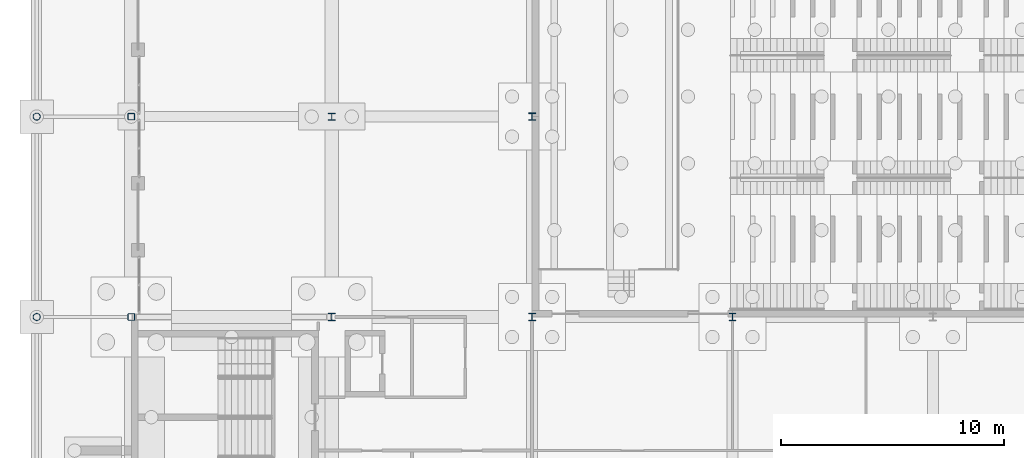
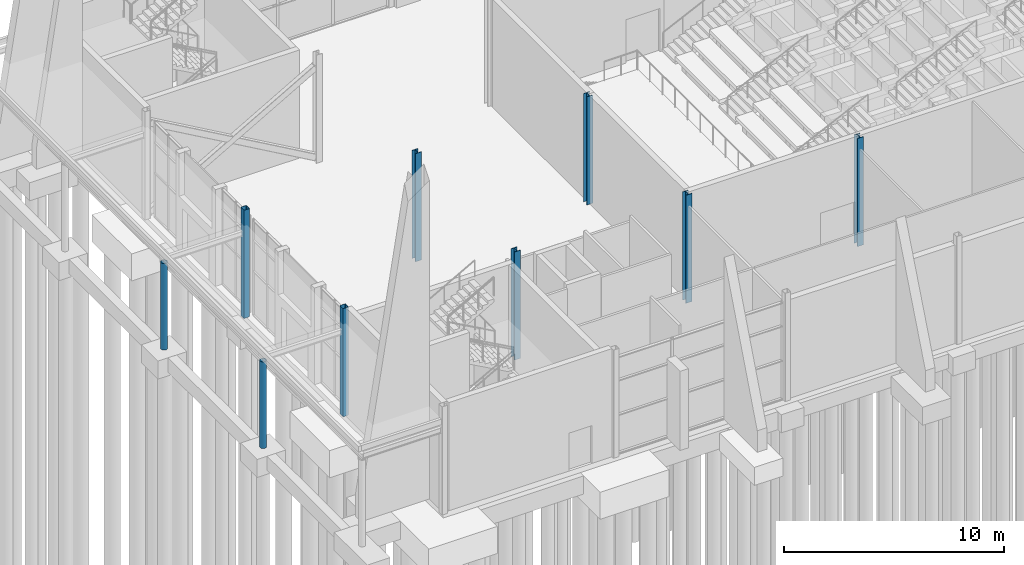
# One storey, part 23 of 139: 9 columns.
"""IFC4 building model written with IfcOpenShell, lengths in metres."""

from ifc_helpers import new_model, si_unit, direction, frame, origin, origin_2d, place, context, subcontext, project, spatial, hollow_rectangle, hollow_circle, i_section, extrude, material, material_profile, profile_set, type_object, element, save


model = new_model("IFC4")

# Units and contexts
model_context = context("Model", 3, precision=1e-05, world=origin(), true_north=direction((0.0, 1.0)))
body_context = subcontext(model_context, "Body", "Model", "MODEL_VIEW")
ifc_project = project(units=[si_unit("LENGTHUNIT", "METRE"), si_unit("AREAUNIT", "SQUARE_METRE"), si_unit("VOLUMEUNIT", "CUBIC_METRE"), si_unit("PLANEANGLEUNIT", "RADIAN"), si_unit("MASSUNIT", "GRAM", prefix="KILO")], contexts=[model_context])

# Site, building, storey
site_placement = place(None, origin())
site = spatial("IfcSite", under=ifc_project, at=site_placement, CompositionType="ELEMENT")
building_placement = place(site_placement, origin())
building = spatial("IfcBuilding", under=site, at=building_placement, Name="Shorebreak Coast Museum", CompositionType="ELEMENT")
storey_placement = place(building_placement, origin())
storey = spatial("IfcBuildingStorey", under=building, at=storey_placement, Name="L00", CompositionType="ELEMENT", Elevation=0.0)

# Columns
ifc_material_1 = material(Name="Steel Grade C350L0", Category="steel")
ifc_material_profile_1 = material_profile(ifc_material_1, hollow_circle(Radius=0.161865234375, WallThickness=0.009521484375, at=origin_2d()), Name="323.9x9.5 CHS")
ifc_profile_set_1 = profile_set([ifc_material_profile_1], Name="Steel Grade C350L0")
column_type_1 = type_object("IfcColumnType", Name="Arcade column 323.9x9.5 CHS", PredefinedType="COLUMN", material=ifc_profile_set_1)
for number, where, z_axis, x_axis, name in (
    (1, (-4.25, 63.0, -0.300048828125), (0.0, 0.0, 1.0), (1.0, 0.0, 0.0), "Arcade column west 2"),
    (2, (-4.25, 72.0, -0.300048828125), (0.0, 0.0, 1.0), (1.0, 0.0, 0.0), "Arcade column west 3"),
):
    element("IfcColumn", number, at=place(storey_placement, frame(where, z_axis=z_axis, x_axis=x_axis)), inside=storey, type_object=column_type_1, Name=name, PredefinedType="COLUMN", context=body_context, shape_type="SweptSolid", body=[
        extrude(hollow_circle(Radius=0.161865234375, WallThickness=0.009521484375, at=origin_2d()), origin(), (0.0, 0.0, 1.0), 4.802001953125),
    ])
ifc_material_2 = material(Name="Steel Grade C450L0", Category="steel")
ifc_material_profile_2 = material_profile(ifc_material_2, hollow_rectangle(XDim=0.300048828125, YDim=0.300048828125, WallThickness=0.012451171875, InnerFilletRadius=0.018798828125, OuterFilletRadius=0.03125, at=origin_2d()), Name="300x300x12.5 SHS")
ifc_profile_set_2 = profile_set([ifc_material_profile_2], Name="Steel Grade C450L0")
column_type_2 = type_object("IfcColumnType", Name="Column 300x300x12.5 SHS", PredefinedType="COLUMN", material=ifc_profile_set_2)
for number, where, z_axis, x_axis, name in (
    (3, (0.0, 63.0, 0.0), (0.0, 0.0, 1.0), (1.0, 0.0, 0.0), "Column L00 1H"),
    (4, (0.0, 72.0, 0.0), (0.0, 0.0, 1.0), (1.0, 0.0, 0.0), "Column L00 1J"),
):
    element("IfcColumn", number, at=place(storey_placement, frame(where, z_axis=z_axis, x_axis=x_axis)), inside=storey, type_object=column_type_2, Name=name, PredefinedType="COLUMN", context=body_context, shape_type="SweptSolid", body=[
        extrude(hollow_rectangle(XDim=0.300048828125, YDim=0.300048828125, WallThickness=0.012451171875, InnerFilletRadius=0.018798828125, OuterFilletRadius=0.03125, at=origin_2d()), origin(), (0.0, 0.0, 1.0), 6.0),
    ])
ifc_material_3 = material(Name="Steel Grade 300", Category="steel")
ifc_material_profile_3 = material_profile(ifc_material_3, i_section(OverallWidth=0.30908203125, OverallDepth=0.320556640625, WebThickness=0.013916015625, FlangeThickness=0.021728515625, FilletRadius=0.0166015625, at=origin_2d()), Name="310UC137")
ifc_profile_set_3 = profile_set([ifc_material_profile_3], Name="Steel Grade 300")
column_type_3 = type_object("IfcColumnType", Name="Column 310UC137", PredefinedType="COLUMN", material=ifc_profile_set_3)
for number, where, z_axis, x_axis, name in (
    (5, (9.0, 63.0, 0.0), (0.0, 0.0, 1.0), (1.0, 0.0, 0.0), "Column L00 2H"),
    (6, (9.0, 72.0, 0.0), (0.0, 0.0, 1.0), (1.0, 0.0, 0.0), "Column L00 2J"),
):
    element("IfcColumn", number, at=place(storey_placement, frame(where, z_axis=z_axis, x_axis=x_axis)), inside=storey, type_object=column_type_3, Name=name, PredefinedType="COLUMN", context=body_context, shape_type="SweptSolid", body=[
        extrude(i_section(OverallWidth=0.30908203125, OverallDepth=0.320556640625, WebThickness=0.013916015625, FlangeThickness=0.021728515625, FilletRadius=0.0166015625, at=origin_2d()), origin(), (0.0, 0.0, 1.0), 6.0),
    ])
ifc_material_4 = material(Name="Steel Grade 300", Category="steel")
ifc_material_profile_4 = material_profile(ifc_material_4, i_section(OverallWidth=0.31103515625, OverallDepth=0.3271484375, WebThickness=0.015625, FlangeThickness=0.02490234375, FilletRadius=0.0166015625, at=origin_2d()), Name="310UC158")
ifc_profile_set_4 = profile_set([ifc_material_profile_4], Name="Steel Grade 300")
column_type_4 = type_object("IfcColumnType", Name="Column 310UC158", PredefinedType="COLUMN", material=ifc_profile_set_4)
for number, where, z_axis, x_axis, name in (
    (7, (18.0, 63.0, 0.0), (0.0, 0.0, 1.0), (1.0, 0.0, 0.0), "Column L00 3H"),
    (8, (27.0, 63.0, 0.0), (0.0, 0.0, 1.0), (1.0, 0.0, 0.0), "Column L00 4H"),
    (9, (18.0, 72.0, 0.0), (0.0, 0.0, 1.0), (1.0, 0.0, 0.0), "Column L00 3J"),
):
    element("IfcColumn", number, at=place(storey_placement, frame(where, z_axis=z_axis, x_axis=x_axis)), inside=storey, type_object=column_type_4, Name=name, PredefinedType="COLUMN", context=body_context, shape_type="SweptSolid", body=[
        extrude(i_section(OverallWidth=0.31103515625, OverallDepth=0.3271484375, WebThickness=0.015625, FlangeThickness=0.02490234375, FilletRadius=0.0166015625, at=origin_2d()), origin(), (0.0, 0.0, 1.0), 6.0),
    ])

save(model, "model.ifc")
